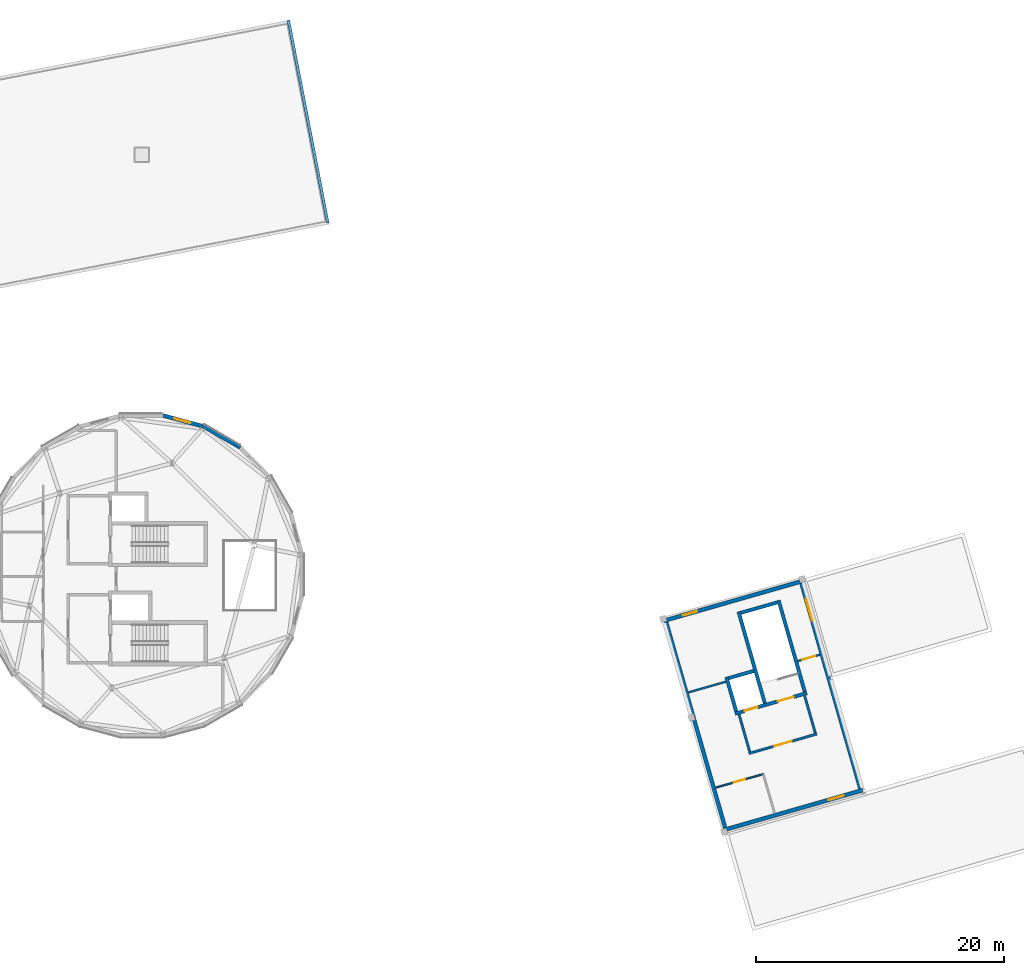
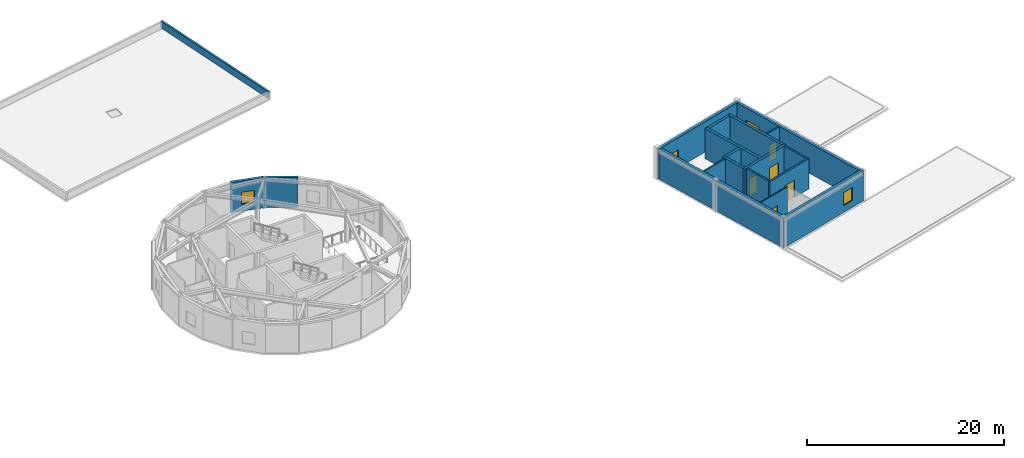
# One storey, part 8 of 11: 19 walls, 5 doors, 4 windows, 9 openings.
"""IFC4 building model written with IfcOpenShell, lengths in metres."""

import ifcopenshell
import ifcopenshell.guid

model = None  # the IFC model being written
_history = None  # IfcOwnerHistory: only IFC2X3 demands one
_inside = {}  # id of a spatial element -> (the spatial element, [elements in it])
_under = {}  # id of a project, library or spatial element -> (it, [spatial elements below it])
_declared = {}  # id of a project -> (the project, [libraries it declares])
_typed = {}  # id of a type object -> (the type object, [elements of that type])
_made_of = {}  # id of a material, layer set ... -> (it, [elements and type objects made of it])


def new_model(schema):
    """Start an empty IFC model of exactly this schema.

    Asked for "IFC4X3", IfcOpenShell would pick the latest addendum, in which some entities
    have other attributes; the version numbers below select the first issue.
    IFC2X3 requires an IfcOwnerHistory on every rooted entity: one is made here for all.
    """
    global model, _history
    if schema == "IFC4X3":
        model = ifcopenshell.file(schema_version=(4, 3, 0, 0))
    else:
        model = ifcopenshell.file(schema=schema)
    _inside.clear()
    _under.clear()
    _declared.clear()
    _typed.clear()
    _made_of.clear()
    _history = None
    if model.schema == "IFC2X3":
        org = make("IfcOrganization", Name="unknown")
        user = make(
            "IfcPersonAndOrganization",
            ThePerson=make("IfcPerson", FamilyName="unknown"),
            TheOrganization=org,
        )
        app = make(
            "IfcApplication",
            ApplicationDeveloper=org,
            Version="unknown",
            ApplicationFullName="unknown",
            ApplicationIdentifier="unknown",
        )
        _history = make(
            "IfcOwnerHistory",
            OwningUser=user,
            OwningApplication=app,
            ChangeAction="ADDED",
            CreationDate=0,
        )
    return model


def make(cls, **values):
    """One entity of the class cls with the attributes given. An attribute that is None is left unset."""
    return model.create_entity(
        cls, **{name: value for name, value in values.items() if value is not None}
    )


def rooted(cls, **values):
    """An entity with a GlobalId (a new one), such as an element, a storey or a relation."""
    return make(cls, GlobalId=ifcopenshell.guid.new(), OwnerHistory=_history, **values)


def si_unit(unit_type, name, prefix=None):
    """IfcSIUnit, for example si_unit("LENGTHUNIT", "METRE", prefix="MILLI")."""
    return make("IfcSIUnit", UnitType=unit_type, Prefix=prefix, Name=name)


def assignment(units):
    """IfcUnitAssignment: the units of a project."""
    return None if units is None else make("IfcUnitAssignment", Units=units)


def point(xyz):
    """IfcCartesianPoint."""
    return None if xyz is None else make("IfcCartesianPoint", Coordinates=xyz)


def direction(xyz):
    """IfcDirection."""
    return None if xyz is None else make("IfcDirection", DirectionRatios=xyz)


def frame(location, z_axis=None, x_axis=None):
    """IfcAxis2Placement3D, a coordinate frame: its origin and axes. An axis left out is left unset."""
    return make(
        "IfcAxis2Placement3D",
        Location=point(location),
        Axis=direction(z_axis),
        RefDirection=direction(x_axis),
    )


def frame_2d(location, x_axis=None):
    """IfcAxis2Placement2D, a coordinate frame in the plane: its origin and x axis."""
    return make(
        "IfcAxis2Placement2D", Location=point(location), RefDirection=direction(x_axis)
    )


def origin():
    """The frame at (0, 0, 0) with its axes left unset."""
    return frame((0.0, 0.0, 0.0))


def place(relative_to, where):
    """IfcLocalPlacement: puts the frame where relative to a parent placement (None: the world)."""
    return make(
        "IfcLocalPlacement", PlacementRelTo=relative_to, RelativePlacement=where
    )


def context(
    kind, dimensions, precision=None, world=None, true_north=None, identifier=None
):
    """IfcGeometricRepresentationContext, for example the 3D "Model" context."""
    return make(
        "IfcGeometricRepresentationContext",
        ContextIdentifier=identifier,
        ContextType=kind,
        CoordinateSpaceDimension=dimensions,
        Precision=precision,
        WorldCoordinateSystem=world,
        TrueNorth=true_north,
    )


def subcontext(parent, identifier, kind, view, scale=None):
    """IfcGeometricRepresentationSubContext, for example "Body" below "Model"."""
    return make(
        "IfcGeometricRepresentationSubContext",
        ContextIdentifier=identifier,
        ContextType=kind,
        ParentContext=parent,
        TargetScale=scale,
        TargetView=view,
    )


def project(units=None, contexts=None):
    """IfcProject with its units and contexts."""
    return rooted(
        "IfcProject",
        Name="project",
        RepresentationContexts=contexts,
        UnitsInContext=assignment(units),
    )


def spatial(cls, under=None, at=None, **own):
    """A site, building, storey or space (cls), placed at a placement, below another one or the project."""
    s = rooted(cls, ObjectPlacement=at, **own)
    if under is not None:
        _under.setdefault(under.id(), (under, []))[1].append(s)
    return s


def profile(cls, at=None, kind="AREA", **sizes):
    """A parametric profile (cls). Its sizes go by their IFC names, for example OverallWidth=200.0."""
    return make(cls, ProfileType=kind, Position=at, **sizes)


def rectangle(**sizes):
    """IfcRectangleProfileDef."""
    return profile("IfcRectangleProfileDef", **sizes)


def extrude(swept, where, along, depth):
    """IfcExtrudedAreaSolid: the profile swept, set in the frame where, extruded along a direction by depth."""
    return make(
        "IfcExtrudedAreaSolid",
        SweptArea=swept,
        Position=where,
        ExtrudedDirection=direction(along),
        Depth=depth,
    )


def shape(context_of_items, identifier, shape_type, items):
    """IfcShapeRepresentation: the items that make up one representation, for example the "Body"."""
    return make(
        "IfcShapeRepresentation",
        ContextOfItems=context_of_items,
        RepresentationIdentifier=identifier,
        RepresentationType=shape_type,
        Items=items,
    )


def material(Name=None, Category=None):
    """IfcMaterial."""
    return make("IfcMaterial", Name=Name, Category=Category)


def layer(
    of_material, thickness, ventilated=None, Name=None, Category=None, Priority=None
):
    """IfcMaterialLayer: one layer of a wall or slab, of a material (None: an air gap)."""
    return make(
        "IfcMaterialLayer",
        Material=of_material,
        LayerThickness=thickness,
        IsVentilated=ventilated,
        Name=Name,
        Category=Category,
        Priority=Priority,
    )


def layer_set(layers, Name=None):
    """IfcMaterialLayerSet."""
    return make("IfcMaterialLayerSet", MaterialLayers=layers, LayerSetName=Name)


def made_of(thing, what):
    """Note that an element or type object is made of a material, layer set ...; save() writes the relation."""
    if what is not None:
        _made_of.setdefault(what.id(), (what, []))[1].append(thing)
    return thing


def type_object(cls, material=None, **own):
    """A type object (cls), such as IfcWallType, which elements share."""
    return made_of(rooted(cls, **own), material)


def element(
    cls,
    number,
    at=None,
    inside=None,
    cuts=None,
    type_object=None,
    material=None,
    context=None,
    identifier="Body",
    shape_type=None,
    held_by="IfcProductDefinitionShape",
    body=None,
    shapes=None,
    **own,
):
    """One element of the class cls, such as IfcWall. Its Tag is "e" and its number.

    at: its placement. inside: the storey or other place that contains it. cuts: it is an
    opening in that element (IfcRelVoidsElement). A single representation is given by context,
    identifier, shape_type and body (its items); several are given by shapes. held_by: the class
    of the entity that holds the representations. save() writes the other relations.
    """
    e = rooted(cls, Tag="e%d" % number, ObjectPlacement=at, **own)
    if body is not None:
        shapes = [shape(context, identifier, shape_type, body)]
    if shapes is not None:
        e.Representation = make(held_by, Representations=shapes)
    if inside is not None:
        _inside.setdefault(inside.id(), (inside, []))[1].append(e)
    if cuts is not None:
        rooted(
            "IfcRelVoidsElement", RelatingBuildingElement=cuts, RelatedOpeningElement=e
        )
    if type_object is not None:
        _typed.setdefault(type_object.id(), (type_object, []))[1].append(e)
    return made_of(e, material)


def fill(opening, filler):
    """IfcRelFillsElement: the door or window that sits in an opening."""
    return rooted(
        "IfcRelFillsElement",
        RelatingOpeningElement=opening,
        RelatedBuildingElement=filler,
    )


def aggregate(whole, parts):
    """IfcRelAggregates: a whole, such as a stair, and the parts it consists of."""
    return rooted("IfcRelAggregates", RelatingObject=whole, RelatedObjects=parts)


def save(model, path):
    """Write the relations noted so far, then the file.

    IfcRelAggregates (storeys below a building ...), IfcRelContainedInSpatialStructure (elements
    in a storey), IfcRelDefinesByType, IfcRelAssociatesMaterial and IfcRelDeclares: one each for
    every whole, place, type object, material and project.
    """
    for whole, parts in _under.values():
        aggregate(whole, parts)
    for where, things in _inside.values():
        rooted(
            "IfcRelContainedInSpatialStructure",
            RelatedElements=things,
            RelatingStructure=where,
        )
    for kind, things in _typed.values():
        rooted("IfcRelDefinesByType", RelatedObjects=things, RelatingType=kind)
    for what, things in _made_of.values():
        rooted("IfcRelAssociatesMaterial", RelatedObjects=things, RelatingMaterial=what)
    for by, libraries in _declared.values():
        rooted("IfcRelDeclares", RelatingContext=by, RelatedDefinitions=libraries)
    model.write(path)


model = new_model("IFC4")

# Units and contexts
model_context = context("Model", 3, precision=1e-05, world=origin(), true_north=direction((0.0, 1.0)))
body_context = subcontext(model_context, "Body", "Model", "MODEL_VIEW")
ifc_project = project(units=[si_unit("LENGTHUNIT", "METRE"), si_unit("AREAUNIT", "SQUARE_METRE"), si_unit("VOLUMEUNIT", "CUBIC_METRE"), si_unit("PLANEANGLEUNIT", "RADIAN"), si_unit("MASSUNIT", "GRAM", prefix="KILO")], contexts=[model_context])

# Site, building, storey
site_placement = place(None, origin())
site = spatial("IfcSite", under=ifc_project, at=site_placement, CompositionType="ELEMENT")
building_placement = place(site_placement, origin())
building = spatial("IfcBuilding", under=site, at=building_placement, Name="Varnklinge Art Gallery", CompositionType="ELEMENT")
storey_placement = place(building_placement, frame((0.0, 0.0, 17.639892578125)))
storey = spatial("IfcBuildingStorey", under=building, at=storey_placement, Name="L04", CompositionType="ELEMENT", Elevation=17.639892578125)

# Wall, opening, window
ifc_material_1 = material(Name="Precast concrete C40/50", Category="concrete")
ifc_layer_1 = layer(ifc_material_1, 0.320068359375)
ifc_layer_set_1 = layer_set([ifc_layer_1], Name="Precast concrete C40/50")
wall_type_1 = type_object("IfcWallType", Name="EW-32", PredefinedType="SOLIDWALL", material=ifc_layer_set_1)
wall_1_placement = place(storey_placement, frame((77.04736328125, 51.468505859375, 0.0), z_axis=(0.0, 0.0, 1.0), x_axis=(0.965922669003, -0.258830827966, 0.0)))
wall_1 = element("IfcWall", 1, at=wall_1_placement, inside=storey, type_object=wall_type_1, Name="L04 Exterior Wall EW-V4D-L04-20", PredefinedType="SOLIDWALL", context=body_context, shape_type="SweptSolid", body=[
    extrude(rectangle(XDim=3.5634765625, YDim=0.320068359375, at=frame_2d((1.78173828125, 0.0))), origin(), (0.0, 0.0, 1.0), 3.739990234375),
])
opening_1_placement = place(wall_1_placement, frame((1.10693359375, 0.0, 0.85009765625)))
opening_1 = element("IfcOpeningElement", 2, at=opening_1_placement, cuts=wall_1, Name="Opening WN-02", PredefinedType="OPENING", context=body_context, shape_type="SweptSolid", body=[
    extrude(rectangle(XDim=1.35009765625, YDim=1.5, at=frame_2d((0.675048828125, 0.75))), frame((0.0, 0.170166015625, 0.0), z_axis=(0.0, -1.0, 0.0), x_axis=(1.0, 0.0, 0.0)), (0.0, 0.0, 1.0), 0.340087890625),
])
ifc_material_2 = material(Name="Insulated Low-E Triple Glazing", Category="glass")
window_type_1 = type_object("IfcWindowType", Name="WN-02", PartitioningType="SINGLE_PANEL", PredefinedType="WINDOW", material=ifc_material_2)
window_1_placement = place(opening_1_placement, origin())
window_1 = element("IfcWindow", 3, at=window_1_placement, inside=storey, type_object=window_type_1, Name="L04 Window WIN-L04-113", OverallHeight=1.5, OverallWidth=1.35009765625, PartitioningType="SINGLE_PANEL", PredefinedType="WINDOW", context=body_context, shape_type="SweptSolid", body=[
    extrude(rectangle(XDim=1.35009765625, YDim=1.5, at=frame_2d((0.675048828125, 0.75))), frame((0.0, 0.030029296875, 0.0), z_axis=(0.0, -1.0, 0.0), x_axis=(1.0, 0.0, 0.0)), (0.0, 0.0, 1.0), 0.06005859375),
])
fill(opening_1, window_1)

# Walls
wall_2_placement = place(storey_placement, frame((80.35107421875, 50.626220703125, 0.0), z_axis=(0.0, 0.0, 1.0), x_axis=(0.866021313335, -0.500007084799, 0.0)))
element("IfcWall", 4, at=wall_2_placement, inside=storey, type_object=wall_type_1, Name="L04 Exterior Wall EW-V4D-L04-21", PredefinedType="SOLIDWALL", context=body_context, shape_type="SweptSolid", body=[
    extrude(rectangle(XDim=3.56396484375, YDim=0.320068359375, at=frame_2d((1.781982421875, 0.0))), origin(), (0.0, 0.0, 1.0), 3.739990234375),
])
wall_3_placement = place(storey_placement, frame((122.693603515625, 17.830810546875, 0.0), z_axis=(0.0, 0.0, 1.0), x_axis=(-0.275642547935, 0.961260207107, 0.0)))
element("IfcWall", 5, at=wall_3_placement, inside=storey, type_object=wall_type_1, Name="L04 Exterior Wall EW-V6-L04-01", PredefinedType="SOLIDWALL", context=body_context, shape_type="SweptSolid", body=[
    extrude(rectangle(XDim=17.739990234375, YDim=0.320068359375, at=frame_2d((8.8701171875, 0.0))), origin(), (0.0, 0.0, 1.0), 3.760009765625),
])

# Wall, opening, window
wall_4_placement = place(storey_placement, frame((117.64990234375, 34.83935546875, 0.0), z_axis=(0.0, 0.0, 1.0), x_axis=(0.961260855634, 0.275640286288, 0.0)))
wall_4 = element("IfcWall", 6, at=wall_4_placement, inside=storey, type_object=wall_type_1, Name="L04 Exterior Wall EW-V6-L04-02", PredefinedType="SOLIDWALL", context=body_context, shape_type="SweptSolid", body=[
    extrude(rectangle(XDim=11.5400390625, YDim=0.320068359375, at=frame_2d((5.77001953125, 0.0))), origin(), (0.0, 0.0, 1.0), 3.760009765625),
])
opening_2_placement = place(wall_4_placement, frame((1.60009765625, 0.0, 0.85009765625)))
opening_2 = element("IfcOpeningElement", 7, at=opening_2_placement, cuts=wall_4, Name="Opening WN-21", PredefinedType="OPENING", context=body_context, shape_type="SweptSolid", body=[
    extrude(rectangle(XDim=1.199951171875, YDim=1.39990234375, at=frame_2d((0.60009765625, 0.699951171875))), frame((0.0, 0.170166015625, 0.0), z_axis=(0.0, -1.0, 0.0), x_axis=(1.0, 0.0, 0.0)), (0.0, 0.0, 1.0), 0.340087890625),
])
ifc_material_3 = material(Name="Insulated Low-E Triple Glazing", Category="glass")
window_type_2 = type_object("IfcWindowType", Name="WN-21", PartitioningType="SINGLE_PANEL", PredefinedType="WINDOW", material=ifc_material_3)
window_2_placement = place(opening_2_placement, origin())
window_2 = element("IfcWindow", 8, at=window_2_placement, inside=storey, type_object=window_type_2, Name="L04 Window WIN-L04-200", OverallHeight=1.39990234375, OverallWidth=1.199951171875, PartitioningType="SINGLE_PANEL", PredefinedType="WINDOW", context=body_context, shape_type="SweptSolid", body=[
    extrude(rectangle(XDim=1.199951171875, YDim=1.39990234375, at=frame_2d((0.60009765625, 0.699951171875))), frame((0.0, 0.030029296875, 0.0), z_axis=(0.0, -1.0, 0.0), x_axis=(1.0, 0.0, 0.0)), (0.0, 0.0, 1.0), 0.06005859375),
])
fill(opening_2, window_2)

wall_5_placement = place(storey_placement, frame((128.69873046875, 38.174072265625, 0.0), z_axis=(0.0, 0.0, 1.0), x_axis=(0.275642547935, -0.961260207107, 0.0)))
wall_5 = element("IfcWall", 9, at=wall_5_placement, inside=storey, type_object=wall_type_1, Name="L04 Exterior Wall EW-V6-L04-03", PredefinedType="SOLIDWALL", context=body_context, shape_type="SweptSolid", body=[
    extrude(rectangle(XDim=17.739990234375, YDim=0.320068359375, at=frame_2d((8.8701171875, 0.0))), origin(), (0.0, 0.0, 1.0), 3.760009765625),
])
opening_3_placement = place(wall_5_placement, frame((1.60009765625, 0.0, 0.85009765625)))
opening_3 = element("IfcOpeningElement", 10, at=opening_3_placement, cuts=wall_5, Name="Opening WN-24", PredefinedType="OPENING", context=body_context, shape_type="SweptSolid", body=[
    extrude(rectangle(XDim=1.85009765625, YDim=1.39990234375, at=frame_2d((0.925048828125, 0.699951171875))), frame((0.0, 0.170166015625, 0.0), z_axis=(0.0, -1.0, 0.0), x_axis=(1.0, 0.0, 0.0)), (0.0, 0.0, 1.0), 0.340087890625),
])
ifc_material_4 = material(Name="Insulated Low-E Triple Glazing", Category="glass")
window_type_3 = type_object("IfcWindowType", Name="WN-24", PartitioningType="SINGLE_PANEL", PredefinedType="WINDOW", material=ifc_material_4)
window_3_placement = place(opening_3_placement, origin())
window_3 = element("IfcWindow", 11, at=window_3_placement, inside=storey, type_object=window_type_3, Name="L04 Window WIN-L04-201", OverallHeight=1.39990234375, OverallWidth=1.85009765625, PartitioningType="SINGLE_PANEL", PredefinedType="WINDOW", context=body_context, shape_type="SweptSolid", body=[
    extrude(rectangle(XDim=1.85009765625, YDim=1.39990234375, at=frame_2d((0.925048828125, 0.699951171875))), frame((0.0, 0.030029296875, 0.0), z_axis=(0.0, -1.0, 0.0), x_axis=(1.0, 0.0, 0.0)), (0.0, 0.0, 1.0), 0.06005859375),
])
fill(opening_3, window_3)

wall_6_placement = place(storey_placement, frame((133.742431640625, 21.165283203125, 0.0), z_axis=(0.0, 0.0, 1.0), x_axis=(-0.961266460984, -0.275620737586, 0.0)))
wall_6 = element("IfcWall", 12, at=wall_6_placement, inside=storey, type_object=wall_type_1, Name="L04 Exterior Wall EW-V6-L04-04", PredefinedType="SOLIDWALL", context=body_context, shape_type="SweptSolid", body=[
    extrude(rectangle(XDim=11.5400390625, YDim=0.320068359375, at=frame_2d((5.77001953125, 0.0))), origin(), (0.0, 0.0, 1.0), 3.760009765625),
])
opening_4_placement = place(wall_6_placement, frame((1.60009765625, 0.0, 0.85009765625)))
opening_4 = element("IfcOpeningElement", 13, at=opening_4_placement, cuts=wall_6, Name="Opening WN-27", PredefinedType="OPENING", context=body_context, shape_type="SweptSolid", body=[
    extrude(rectangle(XDim=1.300048828125, YDim=1.60009765625, at=frame_2d((0.64990234375, 0.800048828125))), frame((0.0, 0.170166015625, 0.0), z_axis=(0.0, -1.0, 0.0), x_axis=(1.0, 0.0, 0.0)), (0.0, 0.0, 1.0), 0.340087890625),
])
ifc_material_5 = material(Name="Insulated Low-E Triple Glazing", Category="glass")
window_type_4 = type_object("IfcWindowType", Name="WN-27", PartitioningType="SINGLE_PANEL", PredefinedType="WINDOW", material=ifc_material_5)
window_4_placement = place(opening_4_placement, origin())
window_4 = element("IfcWindow", 14, at=window_4_placement, inside=storey, type_object=window_type_4, Name="L04 Window WIN-L04-202", OverallHeight=1.60009765625, OverallWidth=1.300048828125, PartitioningType="SINGLE_PANEL", PredefinedType="WINDOW", context=body_context, shape_type="SweptSolid", body=[
    extrude(rectangle(XDim=1.300048828125, YDim=1.60009765625, at=frame_2d((0.64990234375, 0.800048828125))), frame((0.0, 0.030029296875, 0.0), z_axis=(0.0, -1.0, 0.0), x_axis=(1.0, 0.0, 0.0)), (0.0, 0.0, 1.0), 0.06005859375),
])
fill(opening_4, window_4)

# Wall, opening, door
ifc_material_6 = material(Name="Gypsum Board Partition", Category="gypsum")
ifc_layer_2 = layer(ifc_material_6, 0.1201171875)
ifc_layer_set_2 = layer_set([ifc_layer_2], Name="Gypsum Board Partition")
wall_type_2 = type_object("IfcWallType", Name="IW-12", PredefinedType="PARTITIONING", material=ifc_layer_set_2)
wall_7_placement = place(storey_placement, frame((121.8505859375, 21.365234375, 0.0), z_axis=(0.0, 0.0, 1.0), x_axis=(0.961722023331, 0.274026914445, 0.0)))
wall_7 = element("IfcWall", 15, at=wall_7_placement, inside=storey, type_object=wall_type_2, Name="L04 Partition Wall IW-L04-0367", PredefinedType="PARTITIONING", context=body_context, shape_type="SweptSolid", body=[
    extrude(rectangle(XDim=3.994873046875, YDim=0.1201171875, at=frame_2d((1.99755859375, 0.0))), origin(), (0.0, 0.0, 1.0), 3.75),
])
opening_5_placement = place(wall_7_placement, frame((1.517578125, 0.0, 0.0)))
opening_5 = element("IfcOpeningElement", 16, at=opening_5_placement, cuts=wall_7, Name="Opening D-L04-269", PredefinedType="OPENING", context=body_context, shape_type="SweptSolid", body=[
    extrude(rectangle(XDim=0.9599609375, YDim=2.10009765625, at=frame_2d((0.47998046875, 1.050048828125))), frame((0.0, 0.070068359375, 0.0), z_axis=(0.0, -1.0, 0.0), x_axis=(1.0, 0.0, 0.0)), (0.0, 0.0, 1.0), 0.14013671875),
])
ifc_material_7 = material(Name="Oak Timber Leaf", Category="wood")
door_type_1 = type_object("IfcDoorType", Name="ID-02", OperationType="SINGLE_SWING_RIGHT", PredefinedType="DOOR", material=ifc_material_7)
door_1_placement = place(opening_5_placement, origin())
door_1 = element("IfcDoor", 17, at=door_1_placement, inside=storey, type_object=door_type_1, Name="L04 L04 Accessible WC Studio Top Door D-L04-269", OperationType="SINGLE_SWING_LEFT", OverallHeight=2.10009765625, OverallWidth=0.9599609375, PredefinedType="DOOR", context=body_context, shape_type="SweptSolid", body=[
    extrude(rectangle(XDim=0.9599609375, YDim=2.10009765625, at=frame_2d((0.47998046875, 1.050048828125))), frame((0.0, 0.02490234375, 0.0), z_axis=(0.0, -1.0, 0.0), x_axis=(1.0, 0.0, 0.0)), (0.0, 0.0, 1.0), 0.050048828125),
])
fill(opening_5, door_1)

ifc_material_8 = material(Name="Gypsum Board Partition", Category="gypsum")
ifc_layer_3 = layer(ifc_material_8, 0.159912109375)
ifc_layer_set_3 = layer_set([ifc_layer_3], Name="Gypsum Board Partition")
wall_type_3 = type_object("IfcWallType", Name="IW-16", PredefinedType="PARTITIONING", material=ifc_layer_set_3)
wall_8_placement = place(storey_placement, frame((128.48681640625, 31.590576171875, 0.0), z_axis=(0.0, 0.0, 1.0), x_axis=(0.961245230918, 0.275694769695, 0.0)))
wall_8 = element("IfcWall", 18, at=wall_8_placement, inside=storey, type_object=wall_type_3, Name="L04 Partition Wall IW-L04-0369", PredefinedType="PARTITIONING", context=body_context, shape_type="SweptSolid", body=[
    extrude(rectangle(XDim=1.854248046875, YDim=0.159912109375, at=frame_2d((0.92724609375, 0.0))), origin(), (0.0, 0.0, 1.0), 3.75),
])
opening_6_placement = place(wall_8_placement, frame((0.38720703125, 0.0, 0.0)))
opening_6 = element("IfcOpeningElement", 19, at=opening_6_placement, cuts=wall_8, Name="Opening D-L04-270", PredefinedType="OPENING", context=body_context, shape_type="SweptSolid", body=[
    extrude(rectangle(XDim=1.080078125, YDim=2.1201171875, at=frame_2d((0.5400390625, 1.06005859375))), frame((0.0, 0.090087890625, 0.0), z_axis=(0.0, -1.0, 0.0), x_axis=(1.0, 0.0, 0.0)), (0.0, 0.0, 1.0), 0.179931640625),
])
ifc_material_9 = material(Name="Oak Timber Leaf", Category="wood")
door_type_2 = type_object("IfcDoorType", Name="ID-04", OperationType="SINGLE_SWING_RIGHT", PredefinedType="DOOR", material=ifc_material_9)
door_2_placement = place(opening_6_placement, origin())
door_2 = element("IfcDoor", 20, at=door_2_placement, inside=storey, type_object=door_type_2, Name="L04 L04 Senior Residency Artists Studio Door D-L04-270", OperationType="SINGLE_SWING_RIGHT", OverallHeight=2.1201171875, OverallWidth=1.080078125, PredefinedType="DOOR", context=body_context, shape_type="SweptSolid", body=[
    extrude(rectangle(XDim=1.080078125, YDim=2.1201171875, at=frame_2d((0.5400390625, 1.06005859375))), frame((0.0, 0.02490234375, 0.0), z_axis=(0.0, -1.0, 0.0), x_axis=(1.0, 0.0, 0.0)), (0.0, 0.0, 1.0), 0.050048828125),
])
fill(opening_6, door_2)

# Walls
wall_9_placement = place(storey_placement, frame((119.6455078125, 29.055419921875, 0.0), z_axis=(0.0, 0.0, 1.0), x_axis=(0.961260248568, 0.275642403347, 0.0)))
element("IfcWall", 21, at=wall_9_placement, inside=storey, type_object=wall_type_3, Name="L04 Partition Wall IW-L04-0370", PredefinedType="PARTITIONING", context=body_context, shape_type="SweptSolid", body=[
    extrude(rectangle(XDim=3.149658203125, YDim=0.159912109375, at=frame_2d((1.57470703125, 0.0))), origin(), (0.0, 0.0, 1.0), 3.75),
])
ifc_material_10 = material(Name="Concrete C40/50", Category="concrete")
ifc_layer_4 = layer(ifc_material_10, 0.199951171875)
ifc_layer_set_4 = layer_set([ifc_layer_4], Name="Concrete C40/50")
wall_type_4 = type_object("IfcWallType", Name="IW-20", PredefinedType="PARTITIONING", material=ifc_layer_set_4)
for number, where, z_axis, x_axis, name in (
    (22, (129.902587890625, 25.767578125, 0.0), (0.0, 0.0, 1.0), (-0.275601331974, 0.961272024879, 0.0), "L04 Core C5 Lobby South Wall"),
    (23, (123.73779296875, 27.27685546875, 0.0), (0.0, 0.0, 1.0), (0.275672946026, -0.961251489897, 0.0), "L04 Core C5 Lobby North Wall"),
):
    element("IfcWall", number, at=place(storey_placement, frame(where, z_axis=z_axis, x_axis=x_axis)), inside=storey, type_object=wall_type_4, Name=name, PredefinedType="PARTITIONING", context=body_context, shape_type="SweptSolid", body=[
        extrude(rectangle(XDim=3.150146484375, YDim=0.199951171875, at=frame_2d((1.5751953125, 0.0))), origin(), (0.0, 0.0, 1.0), 3.760009765625),
    ])

# Wall, opening, door
wall_10_placement = place(storey_placement, frame((130.0263671875, 25.69921875, 0.0), z_axis=(0.0, 0.0, 1.0), x_axis=(-0.961257274888, -0.275652773383, 0.0)))
wall_10 = element("IfcWall", 24, at=wall_10_placement, inside=storey, type_object=wall_type_4, Name="L04 Core C5 Lobby Corridor Wall", PredefinedType="PARTITIONING", context=body_context, shape_type="SweptSolid", body=[
    extrude(rectangle(XDim=5.7099609375, YDim=0.199951171875, at=frame_2d((2.85498046875, 0.0))), origin(), (0.0, 0.0, 1.0), 3.760009765625),
])
opening_7_placement = place(wall_10_placement, frame((2.114990234375, 0.0, 0.0)))
opening_7 = element("IfcOpeningElement", 25, at=opening_7_placement, cuts=wall_10, Name="Opening D-L04-087", PredefinedType="OPENING", context=body_context, shape_type="SweptSolid", body=[
    extrude(rectangle(XDim=1.47998046875, YDim=2.14990234375, at=frame_2d((0.739990234375, 1.074951171875))), frame((0.0, 0.110107421875, 0.0), z_axis=(0.0, -1.0, 0.0), x_axis=(1.0, 0.0, 0.0)), (0.0, 0.0, 1.0), 0.219970703125),
])
ifc_material_11 = material(Name="Galvanised Fire-Rated Steel", Category="steel")
door_type_3 = type_object("IfcDoorType", Name="ID-LB1", OperationType="DOUBLE_DOOR_SINGLE_SWING", PredefinedType="DOOR", material=ifc_material_11)
door_3_placement = place(opening_7_placement, origin())
door_3 = element("IfcDoor", 26, at=door_3_placement, inside=storey, type_object=door_type_3, Name="L04 Core C5 Protected Lobby Door D-L04-087", OperationType="DOUBLE_DOOR_SINGLE_SWING", OverallHeight=2.14990234375, OverallWidth=1.47998046875, PredefinedType="DOOR", context=body_context, shape_type="SweptSolid", body=[
    extrude(rectangle(XDim=1.47998046875, YDim=2.14990234375, at=frame_2d((0.739990234375, 1.074951171875))), frame((0.0, 0.02490234375, 0.0), z_axis=(0.0, -1.0, 0.0), x_axis=(1.0, 0.0, 0.0)), (0.0, 0.0, 1.0), 0.050048828125),
])
fill(opening_7, door_3)

# Walls
ifc_material_12 = material(Name="Concrete C40/50", Category="concrete")
ifc_layer_5 = layer(ifc_material_12, 0.22998046875)
ifc_layer_set_5 = layer_set([ifc_layer_5], Name="Concrete C40/50")
wall_type_5 = type_object("IfcWallType", Name="PW-23", PredefinedType="PARAPET", material=ifc_layer_set_5)
wall_11_placement = place(storey_placement, frame((87.330810546875, 83.35693359375, 0.0), z_axis=(0.0, 0.0, 1.0), x_axis=(0.190806211841, -0.981627724508, 0.0)))
element("IfcWall", 27, at=wall_11_placement, inside=storey, type_object=wall_type_5, Name="L04 Exterior Wall PAR-SLB-V4B-L04-03", PredefinedType="PARAPET", context=body_context, shape_type="SweptSolid", body=[
    extrude(rectangle(XDim=16.68505859375, YDim=0.22998046875, at=frame_2d((8.342529296875, 0.0))), origin(), (0.0, 0.0, 1.0), 0.85009765625),
])
ifc_material_13 = material(Name="Concrete C40/50", Category="concrete")
ifc_layer_6 = layer(ifc_material_13, 0.280029296875)
ifc_layer_set_6 = layer_set([ifc_layer_6], Name="Concrete C40/50")
wall_type_6 = type_object("IfcWallType", Name="SW-28", PredefinedType="SHEAR", material=ifc_layer_set_6)
wall_12_placement = place(storey_placement, frame((129.050537109375, 29.10205078125, 0.0), z_axis=(0.0, 0.0, 1.0), x_axis=(-0.275629742399, 0.961263879018, 0.0)))
element("IfcWall", 28, at=wall_12_placement, inside=storey, type_object=wall_type_6, Name="L04 Core C5 South Shear Wall", PredefinedType="SHEAR", context=body_context, shape_type="SweptSolid", body=[
    extrude(rectangle(XDim=7.699951171875, YDim=0.280029296875, at=frame_2d((3.85009765625, 0.0))), origin(), (0.0, 0.0, 1.0), 3.760009765625),
])
wall_13_placement = place(storey_placement, frame((126.832275390625, 36.33056640625, 0.0), z_axis=(0.0, 0.0, 1.0), x_axis=(-0.961269283639, -0.275610892984, 0.0)))
element("IfcWall", 29, at=wall_13_placement, inside=storey, type_object=wall_type_6, Name="L04 Core C5 East Shear Wall", PredefinedType="SHEAR", context=body_context, shape_type="SweptSolid", body=[
    extrude(rectangle(XDim=3.080078125, YDim=0.280029296875, at=frame_2d((1.5400390625, 0.0))), origin(), (0.0, 0.0, 1.0), 3.760009765625),
])
wall_14_placement = place(storey_placement, frame((123.6982421875, 35.57763671875, 0.0), z_axis=(0.0, 0.0, 1.0), x_axis=(0.275650638876, -0.961257886983, 0.0)))
element("IfcWall", 30, at=wall_14_placement, inside=storey, type_object=wall_type_6, Name="L04 Core C5 Dividing Shear Wall", PredefinedType="SHEAR", context=body_context, shape_type="SweptSolid", body=[
    extrude(rectangle(XDim=7.7001953125, YDim=0.280029296875, at=frame_2d((3.85009765625, 0.0))), origin(), (0.0, 0.0, 1.0), 3.760009765625),
])
wall_15_placement = place(storey_placement, frame((124.92529296875, 30.790283203125, 0.0), z_axis=(0.0, 0.0, 1.0), x_axis=(-0.96127584502, -0.275588007324, 0.0)))
element("IfcWall", 31, at=wall_15_placement, inside=storey, type_object=wall_type_6, Name="L04 Core C5 Lift East Shear Wall", PredefinedType="SHEAR", context=body_context, shape_type="SweptSolid", body=[
    extrude(rectangle(XDim=2.119873046875, YDim=0.280029296875, at=frame_2d((1.06005859375, 0.0))), origin(), (0.0, 0.0, 1.0), 3.760009765625),
])
wall_16_placement = place(storey_placement, frame((122.71435546875, 30.302001953125, 0.0), z_axis=(0.0, 0.0, 1.0), x_axis=(0.275632780503, -0.961263007877, 0.0)))
element("IfcWall", 32, at=wall_16_placement, inside=storey, type_object=wall_type_6, Name="L04 Core C5 Lift North Shear Wall", PredefinedType="SHEAR", context=body_context, shape_type="SweptSolid", body=[
    extrude(rectangle(XDim=2.89990234375, YDim=0.280029296875, at=frame_2d((1.449951171875, 0.0))), origin(), (0.0, 0.0, 1.0), 3.760009765625),
])

# Wall, openings, doors
wall_17_placement = place(storey_placement, frame((123.417724609375, 27.341064453125, 0.0), z_axis=(0.0, 0.0, 1.0), x_axis=(0.961255042521, 0.275660557985, 0.0)))
wall_17 = element("IfcWall", 33, at=wall_17_placement, inside=storey, type_object=wall_type_6, Name="L04 Core C5 Front Shear Wall", PredefinedType="SHEAR", context=body_context, shape_type="SweptSolid", body=[
    extrude(rectangle(XDim=6.040283203125, YDim=0.280029296875, at=frame_2d((3.02001953125, 0.0))), origin(), (0.0, 0.0, 1.0), 3.760009765625),
])
opening_8_placement = place(wall_17_placement, frame((0.800048828125, 0.0, 0.0)))
opening_8 = element("IfcOpeningElement", 34, at=opening_8_placement, cuts=wall_17, Name="Opening LD-L04-085", PredefinedType="OPENING", context=body_context, shape_type="SweptSolid", body=[
    extrude(rectangle(XDim=1.10009765625, YDim=2.1201171875, at=frame_2d((0.550048828125, 1.06005859375))), frame((0.0, 0.150146484375, 0.0), z_axis=(0.0, -1.0, 0.0), x_axis=(1.0, 0.0, 0.0)), (0.0, 0.0, 1.0), 0.300048828125),
])
opening_9_placement = place(wall_17_placement, frame((3.60009765625, 0.0, 0.0)))
opening_9 = element("IfcOpeningElement", 35, at=opening_9_placement, cuts=wall_17, Name="Opening D-L04-086", PredefinedType="OPENING", context=body_context, shape_type="SweptSolid", body=[
    extrude(rectangle(XDim=1.320068359375, YDim=2.1201171875, at=frame_2d((0.66015625, 1.06005859375))), frame((0.0, 0.150146484375, 0.0), z_axis=(0.0, -1.0, 0.0), x_axis=(1.0, 0.0, 0.0)), (0.0, 0.0, 1.0), 0.300048828125),
])
ifc_material_14 = material(Name="Galvanised Fire-Rated Steel", Category="steel")
door_type_4 = type_object("IfcDoorType", Name="ID-ST1", OperationType="SINGLE_SWING_LEFT", PredefinedType="DOOR", material=ifc_material_14)
door_4_placement = place(opening_9_placement, origin())
door_4 = element("IfcDoor", 36, at=door_4_placement, inside=storey, type_object=door_type_4, Name="L04 Stair ST-05 Fire Door D-L04-086", OperationType="SINGLE_SWING_RIGHT", OverallHeight=2.1201171875, OverallWidth=1.320068359375, PredefinedType="DOOR", context=body_context, shape_type="SweptSolid", body=[
    extrude(rectangle(XDim=1.320068359375, YDim=2.1201171875, at=frame_2d((0.66015625, 1.06005859375))), frame((0.0, 0.02490234375, 0.0), z_axis=(0.0, -1.0, 0.0), x_axis=(1.0, 0.0, 0.0)), (0.0, 0.0, 1.0), 0.050048828125),
])
fill(opening_9, door_4)
ifc_material_15 = material(Name="Anodised Aluminium", Category="aluminium")
door_type_5 = type_object("IfcDoorType", Name="LD-PAX", OperationType="SLIDING_TO_LEFT", PredefinedType="DOOR", material=ifc_material_15)
door_5_placement = place(opening_8_placement, origin())
door_5 = element("IfcDoor", 37, at=door_5_placement, inside=storey, type_object=door_type_5, Name="L04 LF-04 Sliding Landing Door LD-L04-085", OperationType="SLIDING_TO_LEFT", OverallHeight=2.1201171875, OverallWidth=1.10009765625, PredefinedType="DOOR", context=body_context, shape_type="SweptSolid", body=[
    extrude(rectangle(XDim=1.10009765625, YDim=2.1201171875, at=frame_2d((0.550048828125, 1.06005859375))), frame((0.0, 0.02490234375, 0.0), z_axis=(0.0, -1.0, 0.0), x_axis=(1.0, 0.0, 0.0)), (0.0, 0.0, 1.0), 0.050048828125),
])
fill(opening_8, door_5)

save(model, "model.ifc")
